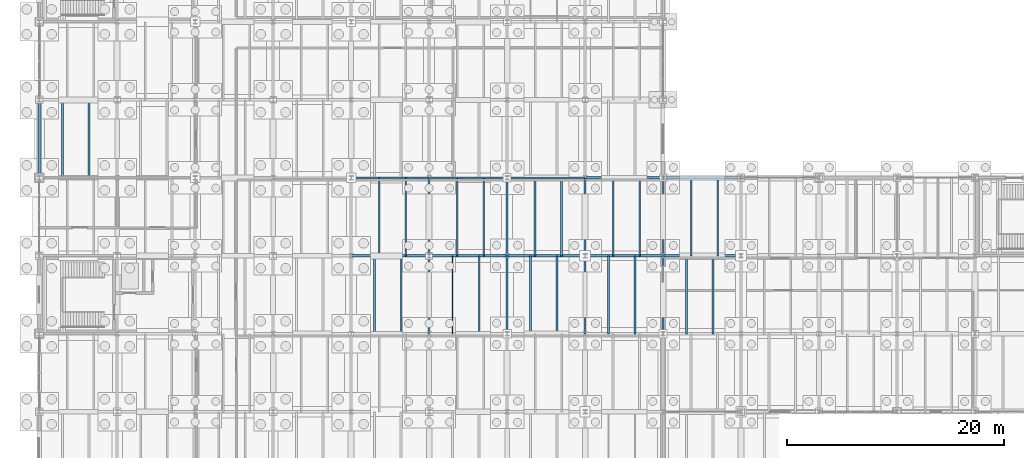
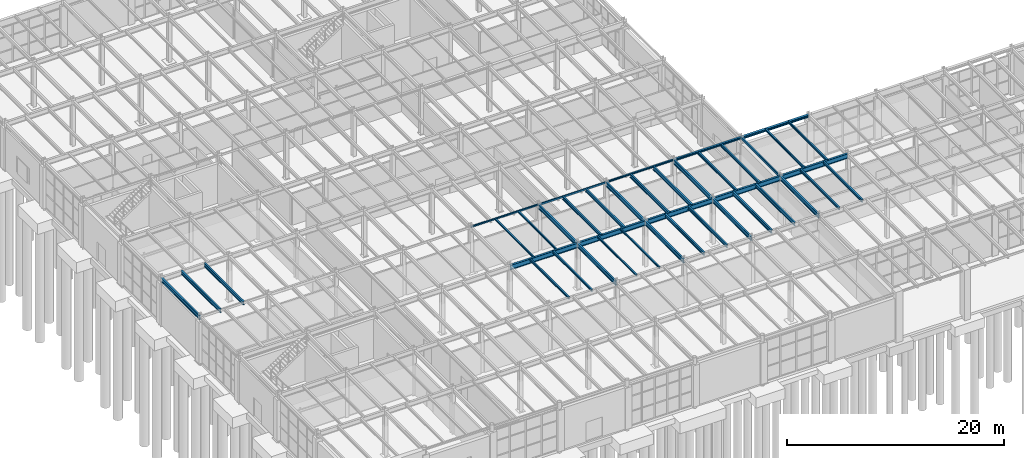
# One storey, part 56 of 293: 41 beams.
"""IFC4 building model written with IfcOpenShell, lengths in metres."""

from ifc_helpers import new_model, si_unit, direction, frame, origin, origin_2d, place, context, subcontext, project, spatial, hollow_rectangle, i_section, extrude, material, material_profile, profile_set, type_object, element, save


model = new_model("IFC4")

# Units and contexts
model_context = context("Model", 3, precision=1e-05, world=origin(), true_north=direction((0.0, 1.0)))
body_context = subcontext(model_context, "Body", "Model", "MODEL_VIEW")
ifc_project = project(units=[si_unit("LENGTHUNIT", "METRE"), si_unit("AREAUNIT", "SQUARE_METRE"), si_unit("VOLUMEUNIT", "CUBIC_METRE"), si_unit("PLANEANGLEUNIT", "RADIAN"), si_unit("MASSUNIT", "GRAM", prefix="KILO")], contexts=[model_context])

# Site, building, storey
site_placement = place(None, origin())
site = spatial("IfcSite", under=ifc_project, at=site_placement, CompositionType="ELEMENT")
building_placement = place(site_placement, origin())
building = spatial("IfcBuilding", under=site, at=building_placement, Name="Kemerveld Promenade Tramway Depot", CompositionType="ELEMENT")
storey_placement = place(building_placement, origin())
storey = spatial("IfcBuildingStorey", under=building, at=storey_placement, Name="L00", CompositionType="ELEMENT", Elevation=0.0)

# Beams
ifc_material = material(Name="Steel S355", Category="steel")
ifc_material_profile_1 = material_profile(ifc_material, i_section(OverallWidth=0.2099609375, OverallDepth=0.53662109375, WebThickness=0.0107421875, FlangeThickness=0.017333984375, FilletRadius=0.0126953125, at=origin_2d()), Name="533x210x101 UB")
ifc_profile_set_1 = profile_set([ifc_material_profile_1], Name="Steel S355")
beam_type_1 = type_object("IfcBeamType", Name="BM-G05", PredefinedType="BEAM", material=ifc_profile_set_1)
for number, where, z_axis, x_axis, name in (
    (1, (28.800048828125, 21.60009765625, 4.881591796875), (1.0, 0.0, 0.0), (0.0, 1.0, 0.0), "BMX-L00-05-06-D"),
    (2, (36.0, 21.60009765625, 4.881591796875), (1.0, 0.0, 0.0), (0.0, 1.0, 0.0), "BMX-L00-06-07-D"),
    (3, (43.199951171875, 21.60009765625, 4.881591796875), (1.0, 0.0, 0.0), (0.0, 1.0, 0.0), "BMX-L00-07-08-D"),
):
    element("IfcBeam", number, at=place(storey_placement, frame(where, z_axis=z_axis, x_axis=x_axis)), inside=storey, type_object=beam_type_1, Name=name, PredefinedType="BEAM", context=body_context, shape_type="SweptSolid", body=[
        extrude(i_section(OverallWidth=0.2099609375, OverallDepth=0.53662109375, WebThickness=0.0107421875, FlangeThickness=0.017333984375, FilletRadius=0.0126953125, at=origin_2d()), origin(), (0.0, 0.0, 1.0), 7.199951171875),
    ])
beam_1_placement = place(storey_placement, frame((50.39990234375, 21.60009765625, 4.881591796875), z_axis=(1.0, 0.0, 0.0), x_axis=(0.0, 1.0, 0.0)))
element("IfcBeam", 4, at=beam_1_placement, inside=storey, type_object=beam_type_1, Name="BMX-L00-08-09-D", PredefinedType="BEAM", context=body_context, shape_type="SweptSolid", body=[
    extrude(i_section(OverallWidth=0.2099609375, OverallDepth=0.53662109375, WebThickness=0.0107421875, FlangeThickness=0.017333984375, FilletRadius=0.0126953125, at=origin_2d()), origin(), (0.0, 0.0, 1.0), 7.2001953125),
])
beam_2_placement = place(storey_placement, frame((57.60009765625, 21.60009765625, 4.881591796875), z_axis=(1.0, 0.0, 0.0), x_axis=(0.0, 1.0, 0.0)))
element("IfcBeam", 5, at=beam_2_placement, inside=storey, type_object=beam_type_1, Name="BMX-L00-09-10-D", PredefinedType="BEAM", context=body_context, shape_type="SweptSolid", body=[
    extrude(i_section(OverallWidth=0.2099609375, OverallDepth=0.53662109375, WebThickness=0.0107421875, FlangeThickness=0.017333984375, FilletRadius=0.0126953125, at=origin_2d()), origin(), (0.0, 0.0, 1.0), 7.199951171875),
])
ifc_material_profile_2 = material_profile(ifc_material, i_section(OverallWidth=0.19140625, OverallDepth=0.4599609375, WebThickness=0.010009765625, FlangeThickness=0.01611328125, FilletRadius=0.01025390625, at=origin_2d()), Name="457x191x82 UB")
ifc_profile_set_2 = profile_set([ifc_material_profile_2], Name="Steel S355")
beam_type_2 = type_object("IfcBeamType", Name="BM-G06", PredefinedType="BEAM", material=ifc_profile_set_2)
beam_3_placement = place(storey_placement, frame((0.0, 28.800048828125, 4.919921875), z_axis=(0.0, 1.0, 0.0), x_axis=(-1.0, 0.0, 0.0)))
element("IfcBeam", 6, at=beam_3_placement, inside=storey, type_object=beam_type_2, Name="BMY-L00-01-E-F", PredefinedType="BEAM", context=body_context, shape_type="SweptSolid", body=[
    extrude(i_section(OverallWidth=0.19140625, OverallDepth=0.4599609375, WebThickness=0.010009765625, FlangeThickness=0.01611328125, FilletRadius=0.01025390625, at=origin_2d()), origin(), (0.0, 0.0, 1.0), 7.199951171875),
])
beam_4_placement = place(storey_placement, frame((36.0, 14.39990234375, 4.919921875), z_axis=(0.0, 1.0, 0.0), x_axis=(-1.0, 0.0, 0.0)))
element("IfcBeam", 7, at=beam_4_placement, inside=storey, type_object=beam_type_2, Name="BMY-L00-06-C-D", PredefinedType="BEAM", context=body_context, shape_type="SweptSolid", body=[
    extrude(i_section(OverallWidth=0.19140625, OverallDepth=0.4599609375, WebThickness=0.010009765625, FlangeThickness=0.01611328125, FilletRadius=0.01025390625, at=origin_2d()), origin(), (0.0, 0.0, 1.0), 7.2001953125),
])
beam_5_placement = place(storey_placement, frame((36.0, 21.60009765625, 4.919921875), z_axis=(0.0, 1.0, 0.0), x_axis=(-1.0, 0.0, 0.0)))
element("IfcBeam", 8, at=beam_5_placement, inside=storey, type_object=beam_type_2, Name="BMY-L00-06-D-E", PredefinedType="BEAM", context=body_context, shape_type="SweptSolid", body=[
    extrude(i_section(OverallWidth=0.19140625, OverallDepth=0.4599609375, WebThickness=0.010009765625, FlangeThickness=0.01611328125, FilletRadius=0.01025390625, at=origin_2d()), origin(), (0.0, 0.0, 1.0), 7.199951171875),
])
beam_6_placement = place(storey_placement, frame((43.199951171875, 14.39990234375, 4.919921875), z_axis=(0.0, 1.0, 0.0), x_axis=(-1.0, 0.0, 0.0)))
element("IfcBeam", 9, at=beam_6_placement, inside=storey, type_object=beam_type_2, Name="BMY-L00-07-C-D", PredefinedType="BEAM", context=body_context, shape_type="SweptSolid", body=[
    extrude(i_section(OverallWidth=0.19140625, OverallDepth=0.4599609375, WebThickness=0.010009765625, FlangeThickness=0.01611328125, FilletRadius=0.01025390625, at=origin_2d()), origin(), (0.0, 0.0, 1.0), 7.2001953125),
])
beam_7_placement = place(storey_placement, frame((43.199951171875, 21.60009765625, 4.919921875), z_axis=(0.0, 1.0, 0.0), x_axis=(-1.0, 0.0, 0.0)))
element("IfcBeam", 10, at=beam_7_placement, inside=storey, type_object=beam_type_2, Name="BMY-L00-07-D-E", PredefinedType="BEAM", context=body_context, shape_type="SweptSolid", body=[
    extrude(i_section(OverallWidth=0.19140625, OverallDepth=0.4599609375, WebThickness=0.010009765625, FlangeThickness=0.01611328125, FilletRadius=0.01025390625, at=origin_2d()), origin(), (0.0, 0.0, 1.0), 7.199951171875),
])
beam_8_placement = place(storey_placement, frame((50.39990234375, 14.39990234375, 4.919921875), z_axis=(0.0, 1.0, 0.0), x_axis=(-1.0, 0.0, 0.0)))
element("IfcBeam", 11, at=beam_8_placement, inside=storey, type_object=beam_type_2, Name="BMY-L00-08-C-D", PredefinedType="BEAM", context=body_context, shape_type="SweptSolid", body=[
    extrude(i_section(OverallWidth=0.19140625, OverallDepth=0.4599609375, WebThickness=0.010009765625, FlangeThickness=0.01611328125, FilletRadius=0.01025390625, at=origin_2d()), origin(), (0.0, 0.0, 1.0), 7.2001953125),
])
beam_9_placement = place(storey_placement, frame((50.39990234375, 21.60009765625, 4.919921875), z_axis=(0.0, 1.0, 0.0), x_axis=(-1.0, 0.0, 0.0)))
element("IfcBeam", 12, at=beam_9_placement, inside=storey, type_object=beam_type_2, Name="BMY-L00-08-D-E", PredefinedType="BEAM", context=body_context, shape_type="SweptSolid", body=[
    extrude(i_section(OverallWidth=0.19140625, OverallDepth=0.4599609375, WebThickness=0.010009765625, FlangeThickness=0.01611328125, FilletRadius=0.01025390625, at=origin_2d()), origin(), (0.0, 0.0, 1.0), 7.199951171875),
])
beam_10_placement = place(storey_placement, frame((57.60009765625, 14.39990234375, 4.919921875), z_axis=(0.0, 1.0, 0.0), x_axis=(-1.0, 0.0, 0.0)))
element("IfcBeam", 13, at=beam_10_placement, inside=storey, type_object=beam_type_2, Name="BMY-L00-09-C-D", PredefinedType="BEAM", context=body_context, shape_type="SweptSolid", body=[
    extrude(i_section(OverallWidth=0.19140625, OverallDepth=0.4599609375, WebThickness=0.010009765625, FlangeThickness=0.01611328125, FilletRadius=0.01025390625, at=origin_2d()), origin(), (0.0, 0.0, 1.0), 7.2001953125),
])
ifc_material_profile_3 = material_profile(ifc_material, i_section(OverallWidth=0.165771484375, OverallDepth=0.306640625, WebThickness=0.006591796875, FlangeThickness=0.01171875, FilletRadius=0.0087890625, at=origin_2d()), Name="305x165x46 UB")
ifc_profile_set_3 = profile_set([ifc_material_profile_3], Name="Steel S355")
beam_type_3 = type_object("IfcBeamType", Name="BM-J01", PredefinedType="JOIST", material=ifc_profile_set_3)
for number, where, z_axis, x_axis, name in (
    (14, (52.991943359375, 21.60009765625, 4.99658203125), (0.0, 1.0, 0.0), (-1.0, 0.0, 0.0), "JST-L00-08-D-1"),
    (15, (55.43994140625, 21.60009765625, 4.99658203125), (0.0, 1.0, 0.0), (-1.0, 0.0, 0.0), "JST-L00-08-D-2"),
):
    element("IfcBeam", number, at=place(storey_placement, frame(where, z_axis=z_axis, x_axis=x_axis)), inside=storey, type_object=beam_type_3, Name=name, PredefinedType="JOIST", context=body_context, shape_type="SweptSolid", body=[
        extrude(i_section(OverallWidth=0.165771484375, OverallDepth=0.306640625, WebThickness=0.006591796875, FlangeThickness=0.01171875, FilletRadius=0.0087890625, at=origin_2d()), origin(), (0.0, 0.0, 1.0), 7.199951171875),
    ])
for number, where, z_axis, x_axis, name in (
    (16, (59.760009765625, 14.39990234375, 5.021728515625), (0.0, 1.0, 0.0), (-1.0, 0.0, 0.0), "JST-L00-09-C-1"),
    (17, (62.2080078125, 14.39990234375, 5.021728515625), (0.0, 1.0, 0.0), (-1.0, 0.0, 0.0), "JST-L00-09-C-2"),
):
    element("IfcBeam", number, at=place(storey_placement, frame(where, z_axis=z_axis, x_axis=x_axis)), inside=storey, type_object=beam_type_3, Name=name, PredefinedType="JOIST", context=body_context, shape_type="SweptSolid", body=[
        extrude(i_section(OverallWidth=0.165771484375, OverallDepth=0.306640625, WebThickness=0.006591796875, FlangeThickness=0.01171875, FilletRadius=0.0087890625, at=origin_2d()), origin(), (0.0, 0.0, 1.0), 7.2001953125),
    ])
ifc_material_profile_4 = material_profile(ifc_material, i_section(OverallWidth=0.146484375, OverallDepth=0.256103515625, WebThickness=0.00634765625, FlangeThickness=0.010986328125, FilletRadius=0.007568359375, at=origin_2d()), Name="254x146x37 UB")
ifc_profile_set_4 = profile_set([ifc_material_profile_4], Name="Steel S355")
beam_type_4 = type_object("IfcBeamType", Name="BM-J02", PredefinedType="JOIST", material=ifc_profile_set_4)
for number, where, z_axis, x_axis, name in (
    (18, (30.9599609375, 14.39990234375, 5.02197265625), (0.0, 1.0, 0.0), (-1.0, 0.0, 0.0), "JST-L00-05-C-1"),
    (19, (33.407958984375, 14.39990234375, 5.02197265625), (0.0, 1.0, 0.0), (-1.0, 0.0, 0.0), "JST-L00-05-C-2"),
):
    element("IfcBeam", number, at=place(storey_placement, frame(where, z_axis=z_axis, x_axis=x_axis)), inside=storey, type_object=beam_type_4, Name=name, PredefinedType="JOIST", context=body_context, shape_type="SweptSolid", body=[
        extrude(i_section(OverallWidth=0.146484375, OverallDepth=0.256103515625, WebThickness=0.00634765625, FlangeThickness=0.010986328125, FilletRadius=0.007568359375, at=origin_2d()), origin(), (0.0, 0.0, 1.0), 7.2001953125),
    ])
for number, where, z_axis, x_axis, name in (
    (20, (60.19189453125, 21.60009765625, 5.047119140625), (0.0, 1.0, 0.0), (-1.0, 0.0, 0.0), "JST-L00-09-D-1"),
    (21, (62.639892578125, 21.60009765625, 5.047119140625), (0.0, 1.0, 0.0), (-1.0, 0.0, 0.0), "JST-L00-09-D-2"),
):
    element("IfcBeam", number, at=place(storey_placement, frame(where, z_axis=z_axis, x_axis=x_axis)), inside=storey, type_object=beam_type_4, Name=name, PredefinedType="JOIST", context=body_context, shape_type="SweptSolid", body=[
        extrude(i_section(OverallWidth=0.146484375, OverallDepth=0.256103515625, WebThickness=0.00634765625, FlangeThickness=0.010986328125, FilletRadius=0.007568359375, at=origin_2d()), origin(), (0.0, 0.0, 1.0), 7.199951171875),
    ])
ifc_material_profile_5 = material_profile(ifc_material, i_section(OverallWidth=0.13330078125, OverallDepth=0.203125, WebThickness=0.005615234375, FlangeThickness=0.0078125, FilletRadius=0.007568359375, at=origin_2d()), Name="203x133x25 UB")
ifc_profile_set_5 = profile_set([ifc_material_profile_5], Name="Steel S355")
beam_type_5 = type_object("IfcBeamType", Name="BM-J03", PredefinedType="JOIST", material=ifc_profile_set_5)
for number, where, z_axis, x_axis, name in (
    (22, (31.39208984375, 21.60009765625, 5.04833984375), (0.0, 1.0, 0.0), (-1.0, 0.0, 0.0), "JST-L00-05-D-1"),
    (23, (33.840087890625, 21.60009765625, 5.04833984375), (0.0, 1.0, 0.0), (-1.0, 0.0, 0.0), "JST-L00-05-D-2"),
):
    element("IfcBeam", number, at=place(storey_placement, frame(where, z_axis=z_axis, x_axis=x_axis)), inside=storey, type_object=beam_type_5, Name=name, PredefinedType="JOIST", context=body_context, shape_type="SweptSolid", body=[
        extrude(i_section(OverallWidth=0.13330078125, OverallDepth=0.203125, WebThickness=0.005615234375, FlangeThickness=0.0078125, FilletRadius=0.007568359375, at=origin_2d()), origin(), (0.0, 0.0, 1.0), 7.199951171875),
    ])
for number, where, z_axis, x_axis, name in (
    (24, (38.159912109375, 14.39990234375, 5.04833984375), (0.0, 1.0, 0.0), (-1.0, 0.0, 0.0), "JST-L00-06-C-1"),
    (25, (40.60791015625, 14.39990234375, 5.04833984375), (0.0, 1.0, 0.0), (-1.0, 0.0, 0.0), "JST-L00-06-C-2"),
):
    element("IfcBeam", number, at=place(storey_placement, frame(where, z_axis=z_axis, x_axis=x_axis)), inside=storey, type_object=beam_type_5, Name=name, PredefinedType="JOIST", context=body_context, shape_type="SweptSolid", body=[
        extrude(i_section(OverallWidth=0.13330078125, OverallDepth=0.203125, WebThickness=0.005615234375, FlangeThickness=0.0078125, FilletRadius=0.007568359375, at=origin_2d()), origin(), (0.0, 0.0, 1.0), 7.2001953125),
    ])
ifc_material_profile_6 = material_profile(ifc_material, i_section(OverallWidth=0.172119140625, OverallDepth=0.35791015625, WebThickness=0.008056640625, FlangeThickness=0.012939453125, FilletRadius=0.01025390625, at=origin_2d()), Name="356x171x57 UB")
ifc_profile_set_6 = profile_set([ifc_material_profile_6], Name="Steel S355")
beam_type_6 = type_object("IfcBeamType", Name="BM-J04", PredefinedType="JOIST", material=ifc_profile_set_6)
for number, where, z_axis, x_axis, name in (
    (26, (38.592041015625, 21.60009765625, 4.970947265625), (0.0, 1.0, 0.0), (-1.0, 0.0, 0.0), "JST-L00-06-D-1"),
    (27, (41.0400390625, 21.60009765625, 4.970947265625), (0.0, 1.0, 0.0), (-1.0, 0.0, 0.0), "JST-L00-06-D-2"),
):
    element("IfcBeam", number, at=place(storey_placement, frame(where, z_axis=z_axis, x_axis=x_axis)), inside=storey, type_object=beam_type_6, Name=name, PredefinedType="JOIST", context=body_context, shape_type="SweptSolid", body=[
        extrude(i_section(OverallWidth=0.172119140625, OverallDepth=0.35791015625, WebThickness=0.008056640625, FlangeThickness=0.012939453125, FilletRadius=0.01025390625, at=origin_2d()), origin(), (0.0, 0.0, 1.0), 7.199951171875),
    ])
for number, where, z_axis, x_axis, name in (
    (28, (45.360107421875, 14.39990234375, 4.970947265625), (0.0, 1.0, 0.0), (-1.0, 0.0, 0.0), "JST-L00-07-C-1"),
    (29, (47.80810546875, 14.39990234375, 4.970947265625), (0.0, 1.0, 0.0), (-1.0, 0.0, 0.0), "JST-L00-07-C-2"),
):
    element("IfcBeam", number, at=place(storey_placement, frame(where, z_axis=z_axis, x_axis=x_axis)), inside=storey, type_object=beam_type_6, Name=name, PredefinedType="JOIST", context=body_context, shape_type="SweptSolid", body=[
        extrude(i_section(OverallWidth=0.172119140625, OverallDepth=0.35791015625, WebThickness=0.008056640625, FlangeThickness=0.012939453125, FilletRadius=0.01025390625, at=origin_2d()), origin(), (0.0, 0.0, 1.0), 7.2001953125),
    ])
ifc_material_profile_7 = material_profile(ifc_material, i_section(OverallWidth=0.1787109375, OverallDepth=0.409423828125, WebThickness=0.0087890625, FlangeThickness=0.014404296875, FilletRadius=0.01025390625, at=origin_2d()), Name="406x178x67 UB")
ifc_profile_set_7 = profile_set([ifc_material_profile_7], Name="Steel S355")
beam_type_7 = type_object("IfcBeamType", Name="BM-J05", PredefinedType="JOIST", material=ifc_profile_set_7)
for number, where, z_axis, x_axis, name in (
    (30, (2.159912109375, 28.800048828125, 4.9453125), (0.0, 1.0, 0.0), (-1.0, 0.0, 0.0), "JST-L00-01-E-1"),
    (31, (4.60791015625, 28.800048828125, 4.9453125), (0.0, 1.0, 0.0), (-1.0, 0.0, 0.0), "JST-L00-01-E-2"),
    (32, (45.7919921875, 21.60009765625, 4.9453125), (0.0, 1.0, 0.0), (-1.0, 0.0, 0.0), "JST-L00-07-D-1"),
    (33, (48.239990234375, 21.60009765625, 4.9453125), (0.0, 1.0, 0.0), (-1.0, 0.0, 0.0), "JST-L00-07-D-2"),
):
    element("IfcBeam", number, at=place(storey_placement, frame(where, z_axis=z_axis, x_axis=x_axis)), inside=storey, type_object=beam_type_7, Name=name, PredefinedType="JOIST", context=body_context, shape_type="SweptSolid", body=[
        extrude(i_section(OverallWidth=0.1787109375, OverallDepth=0.409423828125, WebThickness=0.0087890625, FlangeThickness=0.014404296875, FilletRadius=0.01025390625, at=origin_2d()), origin(), (0.0, 0.0, 1.0), 7.199951171875),
    ])
for number, where, z_axis, x_axis, name in (
    (34, (52.56005859375, 14.39990234375, 4.9453125), (0.0, 1.0, 0.0), (-1.0, 0.0, 0.0), "JST-L00-08-C-1"),
    (35, (55.008056640625, 14.39990234375, 4.9453125), (0.0, 1.0, 0.0), (-1.0, 0.0, 0.0), "JST-L00-08-C-2"),
):
    element("IfcBeam", number, at=place(storey_placement, frame(where, z_axis=z_axis, x_axis=x_axis)), inside=storey, type_object=beam_type_7, Name=name, PredefinedType="JOIST", context=body_context, shape_type="SweptSolid", body=[
        extrude(i_section(OverallWidth=0.1787109375, OverallDepth=0.409423828125, WebThickness=0.0087890625, FlangeThickness=0.014404296875, FilletRadius=0.01025390625, at=origin_2d()), origin(), (0.0, 0.0, 1.0), 7.2001953125),
    ])
ifc_material_profile_8 = material_profile(ifc_material, hollow_rectangle(XDim=0.10009765625, YDim=0.199951171875, WallThickness=0.008056640625, InnerFilletRadius=0.00390625, OuterFilletRadius=0.011962890625, at=origin_2d()), Name="200x100x8.0 RHS")
ifc_profile_set_8 = profile_set([ifc_material_profile_8], Name="Steel S355")
beam_type_8 = type_object("IfcBeamType", Name="BM-LN1", PredefinedType="LINTEL", material=ifc_profile_set_8)
beam_11_placement = place(storey_placement, frame((36.0, 28.800048828125, 5.050048828125), z_axis=(1.0, 0.0, 0.0), x_axis=(0.0, 1.0, 0.0)))
element("IfcBeam", 36, at=beam_11_placement, inside=storey, type_object=beam_type_8, Name="BMX-L00-06-07-E", PredefinedType="LINTEL", context=body_context, shape_type="SweptSolid", body=[
    extrude(hollow_rectangle(XDim=0.10009765625, YDim=0.199951171875, WallThickness=0.008056640625, InnerFilletRadius=0.00390625, OuterFilletRadius=0.011962890625, at=origin_2d()), origin(), (0.0, 0.0, 1.0), 7.199951171875),
])
ifc_material_profile_9 = material_profile(ifc_material, i_section(OverallWidth=0.154296875, OverallDepth=0.161865234375, WebThickness=0.008056640625, FlangeThickness=0.011474609375, FilletRadius=0.007568359375, at=origin_2d()), Name="152x152x37 UC")
ifc_profile_set_9 = profile_set([ifc_material_profile_9], Name="Steel S355")
beam_type_9 = type_object("IfcBeamType", Name="BM-LN2", PredefinedType="LINTEL", material=ifc_profile_set_9)
beam_12_placement = place(storey_placement, frame((43.199951171875, 28.800048828125, 5.069091796875), z_axis=(1.0, 0.0, 0.0), x_axis=(0.0, 1.0, 0.0)))
element("IfcBeam", 37, at=beam_12_placement, inside=storey, type_object=beam_type_9, Name="BMX-L00-07-08-E", PredefinedType="LINTEL", context=body_context, shape_type="SweptSolid", body=[
    extrude(i_section(OverallWidth=0.154296875, OverallDepth=0.161865234375, WebThickness=0.008056640625, FlangeThickness=0.011474609375, FilletRadius=0.007568359375, at=origin_2d()), origin(), (0.0, 0.0, 1.0), 7.199951171875),
])
ifc_material_profile_10 = material_profile(ifc_material, i_section(OverallWidth=0.205810546875, OverallDepth=0.209716796875, WebThickness=0.009521484375, FlangeThickness=0.01416015625, FilletRadius=0.01025390625, at=origin_2d()), Name="203x203x60 UC")
ifc_profile_set_10 = profile_set([ifc_material_profile_10], Name="Steel S355")
beam_type_10 = type_object("IfcBeamType", Name="BM-LN3", PredefinedType="LINTEL", material=ifc_profile_set_10)
beam_13_placement = place(storey_placement, frame((50.39990234375, 28.800048828125, 5.045166015625), z_axis=(1.0, 0.0, 0.0), x_axis=(0.0, 1.0, 0.0)))
element("IfcBeam", 38, at=beam_13_placement, inside=storey, type_object=beam_type_10, Name="BMX-L00-08-09-E", PredefinedType="LINTEL", context=body_context, shape_type="SweptSolid", body=[
    extrude(i_section(OverallWidth=0.205810546875, OverallDepth=0.209716796875, WebThickness=0.009521484375, FlangeThickness=0.01416015625, FilletRadius=0.01025390625, at=origin_2d()), origin(), (0.0, 0.0, 1.0), 7.2001953125),
])
ifc_material_profile_11 = material_profile(ifc_material, i_section(OverallWidth=0.25634765625, OverallDepth=0.26025390625, WebThickness=0.01025390625, FlangeThickness=0.017333984375, FilletRadius=0.0126953125, at=origin_2d()), Name="254x254x89 UC")
ifc_profile_set_11 = profile_set([ifc_material_profile_11], Name="Steel S355")
beam_type_11 = type_object("IfcBeamType", Name="BM-LN4", PredefinedType="LINTEL", material=ifc_profile_set_11)
beam_14_placement = place(storey_placement, frame((57.60009765625, 28.800048828125, 5.019775390625), z_axis=(1.0, 0.0, 0.0), x_axis=(0.0, 1.0, 0.0)))
element("IfcBeam", 39, at=beam_14_placement, inside=storey, type_object=beam_type_11, Name="BMX-L00-09-10-E", PredefinedType="LINTEL", context=body_context, shape_type="SweptSolid", body=[
    extrude(i_section(OverallWidth=0.25634765625, OverallDepth=0.26025390625, WebThickness=0.01025390625, FlangeThickness=0.017333984375, FilletRadius=0.0126953125, at=origin_2d()), origin(), (0.0, 0.0, 1.0), 7.199951171875),
])
ifc_material_profile_12 = material_profile(ifc_material, hollow_rectangle(XDim=0.14990234375, YDim=0.25, WallThickness=0.010009765625, InnerFilletRadius=0.0048828125, OuterFilletRadius=0.014892578125, at=origin_2d()), Name="250x150x10.0 RHS")
ifc_profile_set_12 = profile_set([ifc_material_profile_12], Name="Steel S355")
beam_type_12 = type_object("IfcBeamType", Name="BM-SP2", PredefinedType="SPANDREL", material=ifc_profile_set_12)
beam_15_placement = place(storey_placement, frame((57.60009765625, 21.60009765625, 5.02490234375), z_axis=(0.0, 1.0, 0.0), x_axis=(-1.0, 0.0, 0.0)))
element("IfcBeam", 40, at=beam_15_placement, inside=storey, type_object=beam_type_12, Name="BMY-L00-09-D-E", PredefinedType="SPANDREL", context=body_context, shape_type="SweptSolid", body=[
    extrude(hollow_rectangle(XDim=0.14990234375, YDim=0.25, WallThickness=0.010009765625, InnerFilletRadius=0.0048828125, OuterFilletRadius=0.014892578125, at=origin_2d()), origin(), (0.0, 0.0, 1.0), 7.199951171875),
])
ifc_material_profile_13 = material_profile(ifc_material, hollow_rectangle(XDim=0.14990234375, YDim=0.14990234375, WallThickness=0.008056640625, InnerFilletRadius=0.00390625, OuterFilletRadius=0.011962890625, at=origin_2d()), Name="150x150x8.0 SHS")
ifc_profile_set_13 = profile_set([ifc_material_profile_13], Name="Steel S355")
beam_type_13 = type_object("IfcBeamType", Name="BM-SP4", PredefinedType="SPANDREL", material=ifc_profile_set_13)
beam_16_placement = place(storey_placement, frame((28.800048828125, 28.800048828125, 5.074951171875), z_axis=(1.0, 0.0, 0.0), x_axis=(0.0, 1.0, 0.0)))
element("IfcBeam", 41, at=beam_16_placement, inside=storey, type_object=beam_type_13, Name="BMX-L00-05-06-E", PredefinedType="SPANDREL", context=body_context, shape_type="SweptSolid", body=[
    extrude(hollow_rectangle(XDim=0.14990234375, YDim=0.14990234375, WallThickness=0.008056640625, InnerFilletRadius=0.00390625, OuterFilletRadius=0.011962890625, at=origin_2d()), origin(), (0.0, 0.0, 1.0), 7.199951171875),
])

save(model, "model.ifc")
